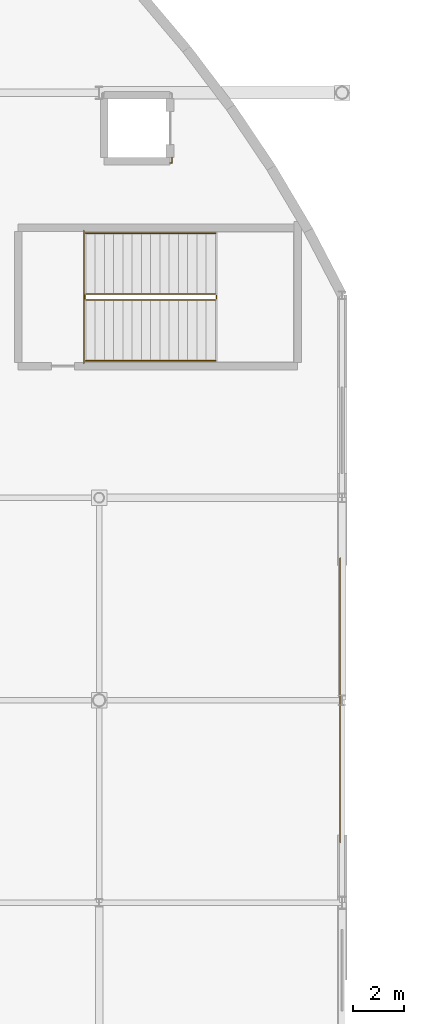
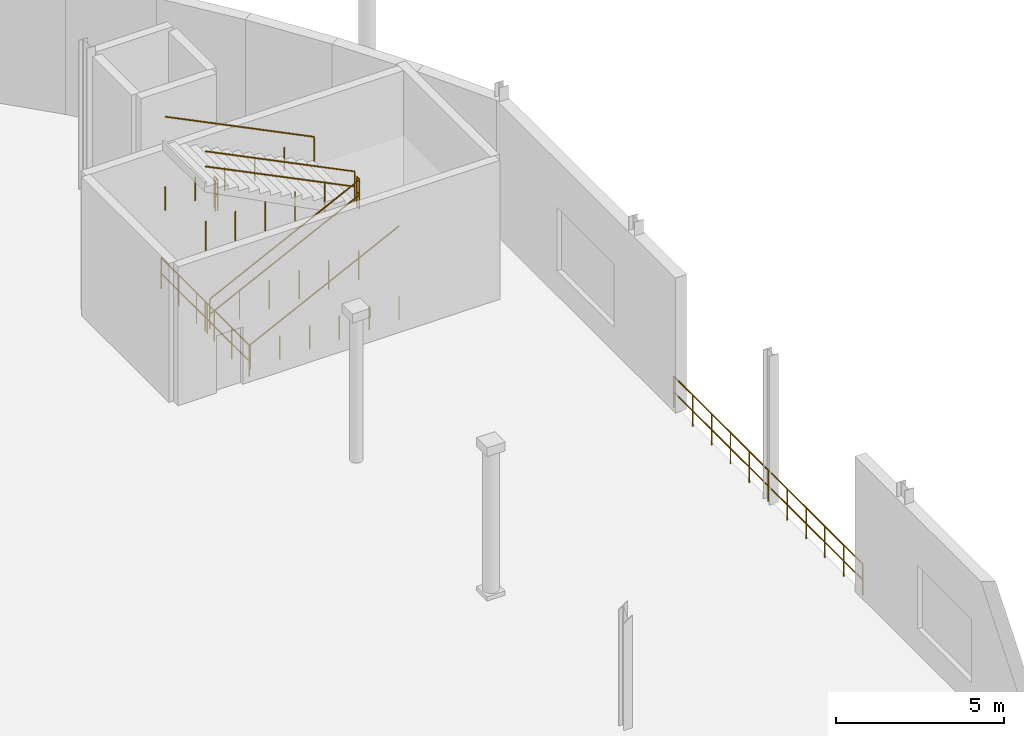
# One storey, part 126 of 129: 9 railings.
"""IFC4 building model written with IfcOpenShell, lengths in metres."""

from ifc_helpers import new_model, si_unit, direction, frame, origin, origin_2d, place, context, subcontext, project, spatial, circle, extrude, material, type_object, element, save


model = new_model("IFC4")

# Units and contexts
model_context = context("Model", 3, precision=1e-05, world=origin(), true_north=direction((0.0, 1.0)))
body_context = subcontext(model_context, "Body", "Model", "MODEL_VIEW")
ifc_project = project(units=[si_unit("LENGTHUNIT", "METRE"), si_unit("AREAUNIT", "SQUARE_METRE"), si_unit("VOLUMEUNIT", "CUBIC_METRE"), si_unit("PLANEANGLEUNIT", "RADIAN"), si_unit("MASSUNIT", "GRAM", prefix="KILO")], contexts=[model_context])

# Site, building, storey
site_placement = place(None, origin())
site = spatial("IfcSite", under=ifc_project, at=site_placement, CompositionType="ELEMENT")
building_placement = place(site_placement, origin())
building = spatial("IfcBuilding", under=site, at=building_placement, Name="Danafjord Basin Convention Centre", CompositionType="ELEMENT")
storey_placement = place(building_placement, frame((0.0, 0.0, 6.0)))
storey = spatial("IfcBuildingStorey", under=building, at=storey_placement, Name="L01", CompositionType="ELEMENT", Elevation=6.0)

# Railings
ifc_material_1 = material(Name="Laminated structural glass and stainless steel", Category="steel")
railing_type_1 = type_object("IfcRailingType", Name="RL-BAL-GLS", PredefinedType="BALUSTRADE", material=ifc_material_1)
railing_1_placement = place(storey_placement, frame((201.52001953125, 109.613037109375, 0.0)))
element("IfcRailing", 1, at=railing_1_placement, inside=storey, type_object=railing_type_1, Name="L01 safety guard balustrade 15", PredefinedType="BALUSTRADE", context=body_context, shape_type="SweptSolid", body=[
    extrude(circle(Radius=0.02392578125, at=origin_2d()), frame((0.0, 0.0, 1.1259765625), z_axis=(0.0, -1.0, 0.0), x_axis=(1.0, 0.0, 0.0)), (0.0, 0.0, 1.0), 11.22607421875),
    extrude(circle(Radius=0.02392578125, at=origin_2d()), frame((0.0, 0.0, 0.55078125), z_axis=(0.0, -1.0, 0.0), x_axis=(1.0, 0.0, 0.0)), (0.0, 0.0, 1.0), 11.22607421875),
    extrude(circle(Radius=0.02099609375, at=origin_2d()), origin(), (0.0, 0.0, 1.0), 1.099853515625),
    extrude(circle(Radius=0.02099609375, at=origin_2d()), frame((0.0, -1.12255859375, 0.0)), (0.0, 0.0, 1.0), 1.099853515625),
    extrude(circle(Radius=0.02099609375, at=origin_2d()), frame((0.0, -2.2451171875, 0.0)), (0.0, 0.0, 1.0), 1.099853515625),
    extrude(circle(Radius=0.02099609375, at=origin_2d()), frame((0.0, -3.367919921875, 0.0)), (0.0, 0.0, 1.0), 1.099853515625),
    extrude(circle(Radius=0.02099609375, at=origin_2d()), frame((0.0, -4.490478515625, 0.0)), (0.0, 0.0, 1.0), 1.099853515625),
    extrude(circle(Radius=0.02099609375, at=origin_2d()), frame((0.0, -5.613037109375, 0.0)), (0.0, 0.0, 1.0), 1.099853515625),
    extrude(circle(Radius=0.02099609375, at=origin_2d()), frame((0.0, -6.735595703125, 0.0)), (0.0, 0.0, 1.0), 1.099853515625),
    extrude(circle(Radius=0.02099609375, at=origin_2d()), frame((0.0, -7.858154296875, 0.0)), (0.0, 0.0, 1.0), 1.099853515625),
    extrude(circle(Radius=0.02099609375, at=origin_2d()), frame((0.0, -8.98095703125, 0.0)), (0.0, 0.0, 1.0), 1.099853515625),
    extrude(circle(Radius=0.02099609375, at=origin_2d()), frame((0.0, -10.103515625, 0.0)), (0.0, 0.0, 1.0), 1.099853515625),
    extrude(circle(Radius=0.02099609375, at=origin_2d()), frame((0.0, -11.22607421875, 0.0)), (0.0, 0.0, 1.0), 1.099853515625),
])
ifc_material_2 = material(Name="Galvanised and powder-coated steel S355", Category="steel")
railing_type_2 = type_object("IfcRailingType", Name="RL-BAL-STL", PredefinedType="BALUSTRADE", material=ifc_material_2)
railing_2_placement = place(storey_placement, frame((191.39990234375, 122.550048828125, 0.0)))
element("IfcRailing", 2, at=railing_2_placement, inside=storey, type_object=railing_type_2, Name="L01 safety guard balustrade 69", PredefinedType="BALUSTRADE", context=body_context, shape_type="SweptSolid", body=[
    extrude(circle(Radius=0.02392578125, at=origin_2d()), frame((0.0, 0.0, 1.1259765625), z_axis=(0.0, -1.0, 0.0), x_axis=(1.0, 0.0, 0.0)), (0.0, 0.0, 1.0), 5.239990234375),
    extrude(circle(Radius=0.02392578125, at=origin_2d()), frame((0.0, 0.0, 0.55078125), z_axis=(0.0, -1.0, 0.0), x_axis=(1.0, 0.0, 0.0)), (0.0, 0.0, 1.0), 5.239990234375),
    extrude(circle(Radius=0.02099609375, at=origin_2d()), origin(), (0.0, 0.0, 1.0), 1.099853515625),
    extrude(circle(Radius=0.02099609375, at=origin_2d()), frame((0.0, -1.048095703125, 0.0)), (0.0, 0.0, 1.0), 1.099853515625),
    extrude(circle(Radius=0.02099609375, at=origin_2d()), frame((0.0, -2.095947265625, 0.0)), (0.0, 0.0, 1.0), 1.099853515625),
    extrude(circle(Radius=0.02099609375, at=origin_2d()), frame((0.0, -3.14404296875, 0.0)), (0.0, 0.0, 1.0), 1.099853515625),
    extrude(circle(Radius=0.02099609375, at=origin_2d()), frame((0.0, -4.19189453125, 0.0)), (0.0, 0.0, 1.0), 1.099853515625),
    extrude(circle(Radius=0.02099609375, at=origin_2d()), frame((0.0, -5.239990234375, 0.0)), (0.0, 0.0, 1.0), 1.099853515625),
])
railing_3_placement = place(storey_placement, frame((194.800048828125, 125.219970703125, 0.0)))
element("IfcRailing", 3, at=railing_3_placement, inside=storey, type_object=railing_type_2, Name="L01 safety guard balustrade 71", PredefinedType="BALUSTRADE", context=body_context, shape_type="SweptSolid", body=[
    extrude(circle(Radius=0.02392578125, at=origin_2d()), frame((0.0, 0.0, 1.1259765625), z_axis=(1.0, 0.0, 0.0), x_axis=(0.0, 1.0, 0.0)), (0.0, 0.0, 1.0), 0.079833984375),
    extrude(circle(Radius=0.02392578125, at=origin_2d()), frame((0.0, 0.0, 0.55078125), z_axis=(1.0, 0.0, 0.0), x_axis=(0.0, 1.0, 0.0)), (0.0, 0.0, 1.0), 0.079833984375),
    extrude(circle(Radius=0.02392578125, at=origin_2d()), frame((0.079833984375, 0.0, 1.1259765625), z_axis=(0.0, 1.0, 0.0), x_axis=(-1.0, 0.0, 0.0)), (0.0, 0.0, 1.0), 0.215087890625),
    extrude(circle(Radius=0.02392578125, at=origin_2d()), frame((0.079833984375, 0.0, 0.55078125), z_axis=(0.0, 1.0, 0.0), x_axis=(-1.0, 0.0, 0.0)), (0.0, 0.0, 1.0), 0.215087890625),
    extrude(circle(Radius=0.02099609375, at=origin_2d()), origin(), (0.0, 0.0, 1.0), 1.099853515625),
    extrude(circle(Radius=0.02099609375, at=origin_2d()), frame((0.079833984375, 0.0, 0.0)), (0.0, 0.0, 1.0), 1.099853515625),
    extrude(circle(Radius=0.02099609375, at=origin_2d()), frame((0.079833984375, 0.215087890625, 0.0)), (0.0, 0.0, 1.0), 1.099853515625),
])
ifc_material_3 = material(Name="Galvanised steel S355", Category="steel")
railing_type_3 = type_object("IfcRailingType", Name="RL-GD-WELL", PredefinedType="BALUSTRADE", material=ifc_material_3)
railing_4_placement = place(storey_placement, frame((191.47998046875, 119.81005859375, 0.179931640625)))
element("IfcRailing", 4, at=railing_4_placement, inside=storey, type_object=railing_type_3, Name="L01 ST-11 stair guard 1", PredefinedType="BALUSTRADE", context=body_context, shape_type="SweptSolid", body=[
    extrude(circle(Radius=0.02392578125, at=origin_2d()), frame((0.0, 0.0, 1.076171875), z_axis=(0.896873198966, 0.0, 0.442287762635), x_axis=(0.0, 1.0, 0.0)), (0.0, 0.0, 1.0), 5.69775390625),
    extrude(circle(Radius=0.02392578125, at=origin_2d()), frame((0.0, 0.0, 0.52587890625), z_axis=(0.896873198966, 0.0, 0.442287762635), x_axis=(0.0, 1.0, 0.0)), (0.0, 0.0, 1.0), 5.69775390625),
    extrude(circle(Radius=0.02099609375, at=origin_2d()), origin(), (0.0, 0.0, 1.0), 1.050048828125),
    extrude(circle(Radius=0.02099609375, at=origin_2d()), frame((1.02197265625, 0.0, 0.0)), (0.0, 0.0, 1.0), 1.050048828125),
    extrude(circle(Radius=0.02099609375, at=origin_2d()), frame((2.0439453125, 0.0, 0.0)), (0.0, 0.0, 1.0), 1.050048828125),
    extrude(circle(Radius=0.02099609375, at=origin_2d()), frame((3.066162109375, 0.0, 0.0)), (0.0, 0.0, 1.0), 1.050048828125),
    extrude(circle(Radius=0.02099609375, at=origin_2d()), frame((4.088134765625, 0.0, 0.0)), (0.0, 0.0, 1.0), 1.050048828125),
    extrude(circle(Radius=0.02099609375, at=origin_2d()), frame((5.110107421875, 0.0, 0.0)), (0.0, 0.0, 1.0), 1.050048828125),
])
railing_5_placement = place(storey_placement, frame((196.639892578125, 119.860107421875, 2.699951171875)))
element("IfcRailing", 5, at=railing_5_placement, inside=storey, type_object=railing_type_3, Name="L01 ST-11 stair guard 2", PredefinedType="BALUSTRADE", context=body_context, shape_type="SweptSolid", body=[
    extrude(circle(Radius=0.02392578125, at=origin_2d()), frame((0.0, 0.0, 1.076171875), z_axis=(0.0, 1.0, 0.0), x_axis=(-1.0, 0.0, 0.0)), (0.0, 0.0, 1.0), 0.139892578125),
    extrude(circle(Radius=0.02392578125, at=origin_2d()), frame((0.0, 0.0, 0.52587890625), z_axis=(0.0, 1.0, 0.0), x_axis=(-1.0, 0.0, 0.0)), (0.0, 0.0, 1.0), 0.139892578125),
    extrude(circle(Radius=0.02099609375, at=origin_2d()), origin(), (0.0, 0.0, 1.0), 1.050048828125),
    extrude(circle(Radius=0.02099609375, at=origin_2d()), frame((0.0, 0.139892578125, 0.0)), (0.0, 0.0, 1.0), 1.050048828125),
])
railing_6_placement = place(storey_placement, frame((196.590087890625, 120.050048828125, 2.8798828125)))
element("IfcRailing", 6, at=railing_6_placement, inside=storey, type_object=railing_type_3, Name="L01 ST-11 stair guard 3", PredefinedType="BALUSTRADE", context=body_context, shape_type="SweptSolid", body=[
    extrude(circle(Radius=0.02392578125, at=origin_2d()), frame((0.0, 0.0, 1.076171875), z_axis=(-0.896873198966, 0.0, 0.442287762635), x_axis=(0.0, -1.0, 0.0)), (0.0, 0.0, 1.0), 5.69775390625),
    extrude(circle(Radius=0.02392578125, at=origin_2d()), frame((0.0, 0.0, 0.52587890625), z_axis=(-0.896873198966, 0.0, 0.442287762635), x_axis=(0.0, -1.0, 0.0)), (0.0, 0.0, 1.0), 5.69775390625),
    extrude(circle(Radius=0.02099609375, at=origin_2d()), origin(), (0.0, 0.0, 1.0), 1.050048828125),
    extrude(circle(Radius=0.02099609375, at=origin_2d()), frame((-1.02197265625, 0.0, 0.0)), (0.0, 0.0, 1.0), 1.050048828125),
    extrude(circle(Radius=0.02099609375, at=origin_2d()), frame((-2.0439453125, 0.0, 0.0)), (0.0, 0.0, 1.0), 1.050048828125),
    extrude(circle(Radius=0.02099609375, at=origin_2d()), frame((-3.066162109375, 0.0, 0.0)), (0.0, 0.0, 1.0), 1.050048828125),
    extrude(circle(Radius=0.02099609375, at=origin_2d()), frame((-4.088134765625, 0.0, 0.0)), (0.0, 0.0, 1.0), 1.050048828125),
    extrude(circle(Radius=0.02099609375, at=origin_2d()), frame((-5.110107421875, 0.0, 0.0)), (0.0, 0.0, 1.0), 1.050048828125),
])
railing_7_placement = place(storey_placement, frame((191.429931640625, 119.860107421875, 0.0)))
element("IfcRailing", 7, at=railing_7_placement, inside=storey, type_object=railing_type_3, Name="L01 ST-11 stair guard 4", PredefinedType="BALUSTRADE", context=body_context, shape_type="SweptSolid", body=[
    extrude(circle(Radius=0.02392578125, at=origin_2d()), frame((0.0, 0.0, 1.076171875), z_axis=(0.0, 1.0, 0.0), x_axis=(-1.0, 0.0, 0.0)), (0.0, 0.0, 1.0), 0.139892578125),
    extrude(circle(Radius=0.02392578125, at=origin_2d()), frame((0.0, 0.0, 0.52587890625), z_axis=(0.0, 1.0, 0.0), x_axis=(-1.0, 0.0, 0.0)), (0.0, 0.0, 1.0), 0.139892578125),
    extrude(circle(Radius=0.02099609375, at=origin_2d()), origin(), (0.0, 0.0, 1.0), 1.050048828125),
    extrude(circle(Radius=0.02099609375, at=origin_2d()), frame((0.0, 0.139892578125, 0.0)), (0.0, 0.0, 1.0), 1.050048828125),
])
ifc_material_4 = material(Name="Brushed stainless steel EN 1.4404", Category="steel")
railing_type_4 = type_object("IfcRailingType", Name="RL-HR-STAIR", PredefinedType="HANDRAIL", material=ifc_material_4)
railing_8_placement = place(storey_placement, frame((191.47998046875, 117.409912109375, 0.179931640625)))
element("IfcRailing", 8, at=railing_8_placement, inside=storey, type_object=railing_type_4, Name="L01 ST-11 stair handrail 1", PredefinedType="HANDRAIL", context=body_context, shape_type="SweptSolid", body=[
    extrude(circle(Radius=0.02392578125, at=origin_2d()), frame((0.0, 0.0, 0.8759765625), z_axis=(0.896873198966, 0.0, 0.442287762635), x_axis=(0.0, 1.0, 0.0)), (0.0, 0.0, 1.0), 5.69775390625),
    extrude(circle(Radius=0.02099609375, at=origin_2d()), origin(), (0.0, 0.0, 1.0), 0.849853515625),
    extrude(circle(Radius=0.02099609375, at=origin_2d()), frame((1.02197265625, 0.0, 0.0)), (0.0, 0.0, 1.0), 0.849853515625),
    extrude(circle(Radius=0.02099609375, at=origin_2d()), frame((2.0439453125, 0.0, 0.0)), (0.0, 0.0, 1.0), 0.849853515625),
    extrude(circle(Radius=0.02099609375, at=origin_2d()), frame((3.066162109375, 0.0, 0.0)), (0.0, 0.0, 1.0), 0.849853515625),
    extrude(circle(Radius=0.02099609375, at=origin_2d()), frame((4.088134765625, 0.0, 0.0)), (0.0, 0.0, 1.0), 0.849853515625),
    extrude(circle(Radius=0.02099609375, at=origin_2d()), frame((5.110107421875, 0.0, 0.0)), (0.0, 0.0, 1.0), 0.849853515625),
])
railing_9_placement = place(storey_placement, frame((196.590087890625, 122.449951171875, 2.8798828125)))
element("IfcRailing", 9, at=railing_9_placement, inside=storey, type_object=railing_type_4, Name="L01 ST-11 stair handrail 2", PredefinedType="HANDRAIL", context=body_context, shape_type="SweptSolid", body=[
    extrude(circle(Radius=0.02392578125, at=origin_2d()), frame((0.0, 0.0, 0.8759765625), z_axis=(-0.896873198966, 0.0, 0.442287762635), x_axis=(0.0, -1.0, 0.0)), (0.0, 0.0, 1.0), 5.69775390625),
    extrude(circle(Radius=0.02099609375, at=origin_2d()), origin(), (0.0, 0.0, 1.0), 0.849853515625),
    extrude(circle(Radius=0.02099609375, at=origin_2d()), frame((-1.02197265625, 0.0, 0.0)), (0.0, 0.0, 1.0), 0.849853515625),
    extrude(circle(Radius=0.02099609375, at=origin_2d()), frame((-2.0439453125, 0.0, 0.0)), (0.0, 0.0, 1.0), 0.849853515625),
    extrude(circle(Radius=0.02099609375, at=origin_2d()), frame((-3.066162109375, 0.0, 0.0)), (0.0, 0.0, 1.0), 0.849853515625),
    extrude(circle(Radius=0.02099609375, at=origin_2d()), frame((-4.088134765625, 0.0, 0.0)), (0.0, 0.0, 1.0), 0.849853515625),
    extrude(circle(Radius=0.02099609375, at=origin_2d()), frame((-5.110107421875, 0.0, 0.0)), (0.0, 0.0, 1.0), 0.849853515625),
])

save(model, "model.ifc")
